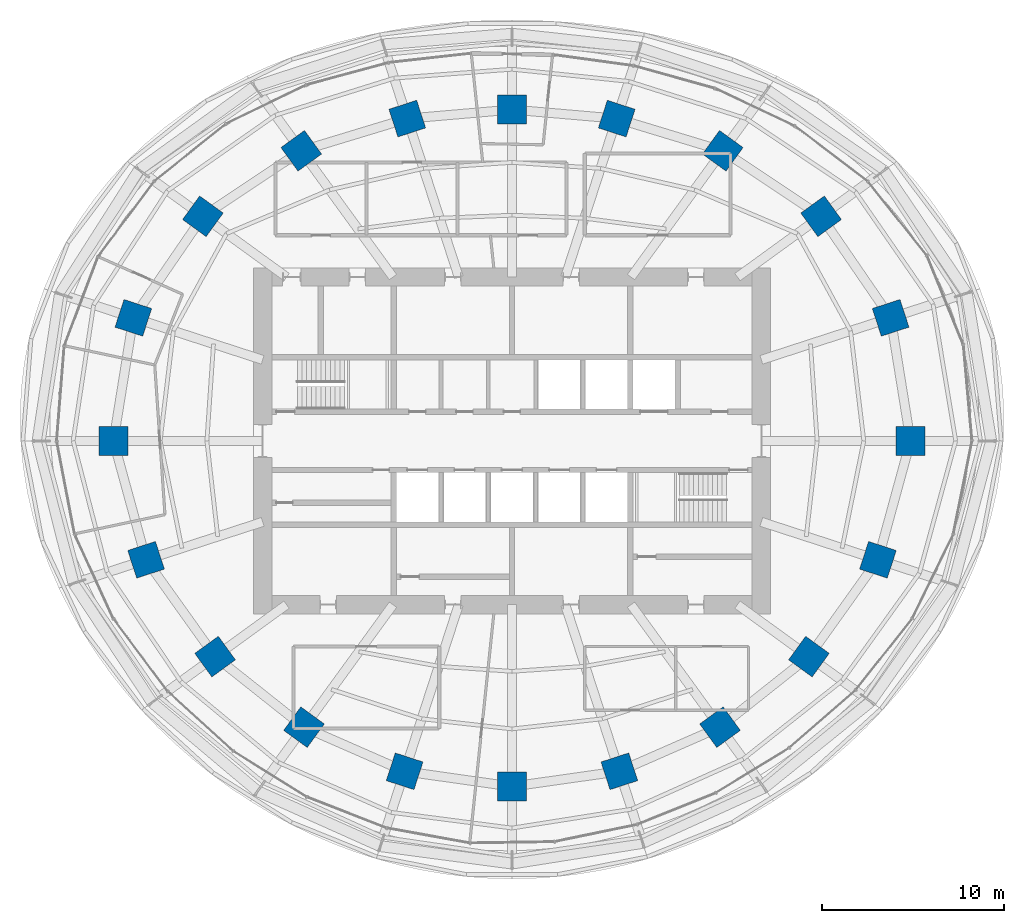
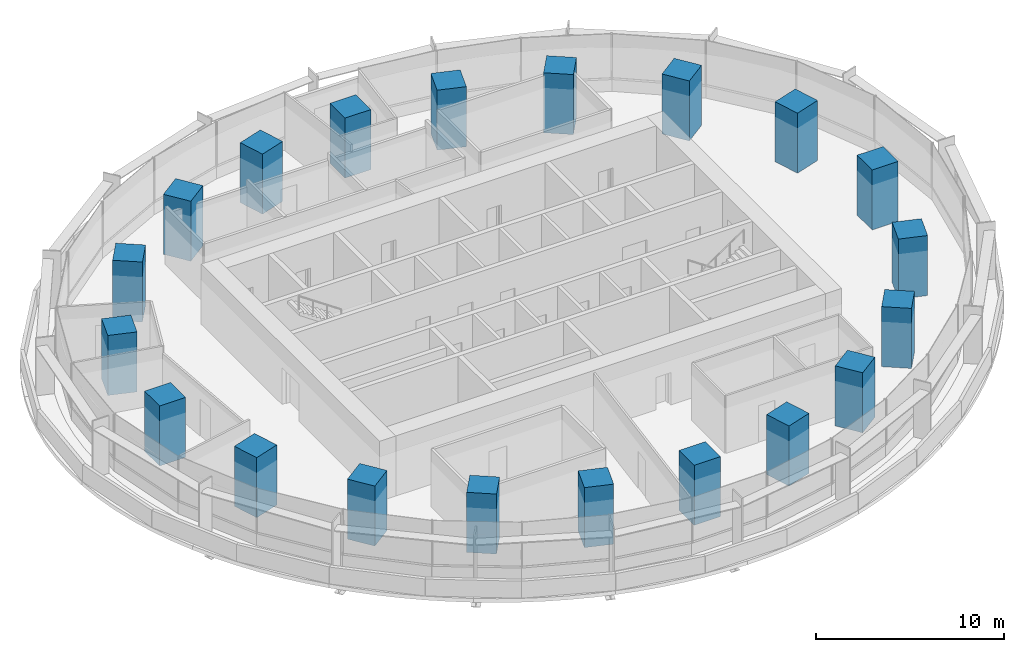
# One storey, part 1 of 15: 20 columns.
"""IFC4 building model written with IfcOpenShell, lengths in metres."""

from ifc_helpers import new_model, si_unit, direction, frame, origin, origin_2d, place, context, subcontext, project, spatial, rectangle, extrude, material, material_profile, profile_set, type_object, element, save


model = new_model("IFC4")

# Units and contexts
model_context = context("Model", 3, precision=1e-05, world=origin(), true_north=direction((0.0, 1.0)))
body_context = subcontext(model_context, "Body", "Model", "MODEL_VIEW")
ifc_project = project(units=[si_unit("LENGTHUNIT", "METRE"), si_unit("AREAUNIT", "SQUARE_METRE"), si_unit("VOLUMEUNIT", "CUBIC_METRE"), si_unit("PLANEANGLEUNIT", "RADIAN"), si_unit("MASSUNIT", "GRAM", prefix="KILO")], contexts=[model_context])

# Site, building, storey
site_placement = place(None, origin())
site = spatial("IfcSite", under=ifc_project, at=site_placement, CompositionType="ELEMENT")
building_placement = place(site_placement, origin())
building = spatial("IfcBuilding", under=site, at=building_placement, Name="Marramba Exchange Tower", CompositionType="ELEMENT")
storey_placement = place(building_placement, frame((0.0, 0.0, 92.39990234375)))
storey = spatial("IfcBuildingStorey", under=building, at=storey_placement, Name="L21", CompositionType="ELEMENT", Elevation=92.39990234375)

# Columns
ifc_material = material(Name="Concrete N50", Category="concrete")
ifc_material_profile = material_profile(ifc_material, rectangle(XDim=1.60009765625, YDim=1.60009765625, at=origin_2d()), Name="RC 1600x1600")
ifc_profile_set = profile_set([ifc_material_profile], Name="Concrete N50")
column_type = type_object("IfcColumnType", Name="Perimeter column RC 1600x1600 N50", PredefinedType="COLUMN", material=ifc_profile_set)
for number, where, z_axis, x_axis, name in (
    (1, (21.89990234375, 0.0, 0.0), (0.0, 0.0, 1.0), (1.0, 0.0, 0.0), "Column TC01 L21"),
    (2, (20.808349609375, 6.760986328125, 0.0), (0.0, 0.0, 1.0), (0.951056516295, 0.309016994375, 0.0), "Column TC02 L21"),
    (3, (16.98583984375, 12.3408203125, 0.0), (0.0, 0.0, 1.0), (0.809016994375, 0.587785252292, 0.0), "Column TC03 L21"),
    (4, (11.581298828125, 15.9404296875, 0.0), (0.0, 0.0, 1.0), (0.587785252292, 0.809016994375, 0.0), "Column TC04 L21"),
    (5, (5.75390625, 17.70849609375, 0.0), (0.0, 0.0, 1.0), (0.309016994375, 0.951056516295, 0.0), "Column TC05 L21"),
    (6, (0.0, 18.2041015625, 0.0), (0.0, 0.0, 1.0), (0.0, 1.0, 0.0), "Column TC06 L21"),
    (7, (-5.75390625, 17.70849609375, 0.0), (0.0, 0.0, 1.0), (-0.309016994375, 0.951056516295, 0.0), "Column TC07 L21"),
    (8, (-11.581298828125, 15.9404296875, 0.0), (0.0, 0.0, 1.0), (-0.587785252292, 0.809016994375, 0.0), "Column TC08 L21"),
    (9, (-16.98583984375, 12.3408203125, 0.0), (0.0, 0.0, 1.0), (-0.809016994375, 0.587785252292, 0.0), "Column TC09 L21"),
    (10, (-20.808349609375, 6.760986328125, 0.0), (0.0, 0.0, 1.0), (-0.951056516295, 0.309016994375, 0.0), "Column TC10 L21"),
    (11, (-21.89990234375, 0.0, 0.0), (0.0, 0.0, 1.0), (-1.0, 0.0, 0.0), "Column TC11 L21"),
    (12, (-20.109375, -6.533935546875, 0.0), (0.0, 0.0, 1.0), (-0.951056516295, -0.309016994375, 0.0), "Column TC12 L21"),
    (13, (-16.3154296875, -11.853759765625, 0.0), (0.0, 0.0, 1.0), (-0.809016994375, -0.587785252292, 0.0), "Column TC13 L21"),
    (14, (-11.430419921875, -15.732666015625, 0.0), (0.0, 0.0, 1.0), (-0.587785252292, -0.809016994375, 0.0), "Column TC14 L21"),
    (15, (-5.899658203125, -18.156982421875, 0.0), (0.0, 0.0, 1.0), (-0.309016994375, -0.951056516295, 0.0), "Column TC15 L21"),
    (16, (0.0, -18.99609375, 0.0), (0.0, 0.0, 1.0), (0.0, -1.0, 0.0), "Column TC16 L21"),
    (17, (5.899658203125, -18.156982421875, 0.0), (0.0, 0.0, 1.0), (0.309016994375, -0.951056516295, 0.0), "Column TC17 L21"),
    (18, (11.430419921875, -15.732666015625, 0.0), (0.0, 0.0, 1.0), (0.587785252292, -0.809016994375, 0.0), "Column TC18 L21"),
    (19, (16.3154296875, -11.853759765625, 0.0), (0.0, 0.0, 1.0), (0.809016994375, -0.587785252292, 0.0), "Column TC19 L21"),
    (20, (20.109375, -6.533935546875, 0.0), (0.0, 0.0, 1.0), (0.951056516295, -0.309016994375, 0.0), "Column TC20 L21"),
):
    element("IfcColumn", number, at=place(storey_placement, frame(where, z_axis=z_axis, x_axis=x_axis)), inside=storey, type_object=column_type, Name=name, PredefinedType="COLUMN", context=body_context, shape_type="SweptSolid", body=[
        extrude(rectangle(XDim=1.60009765625, YDim=1.60009765625, at=origin_2d()), origin(), (0.0, 0.0, 1.0), 3.900146484375),
    ])

save(model, "model.ifc")
